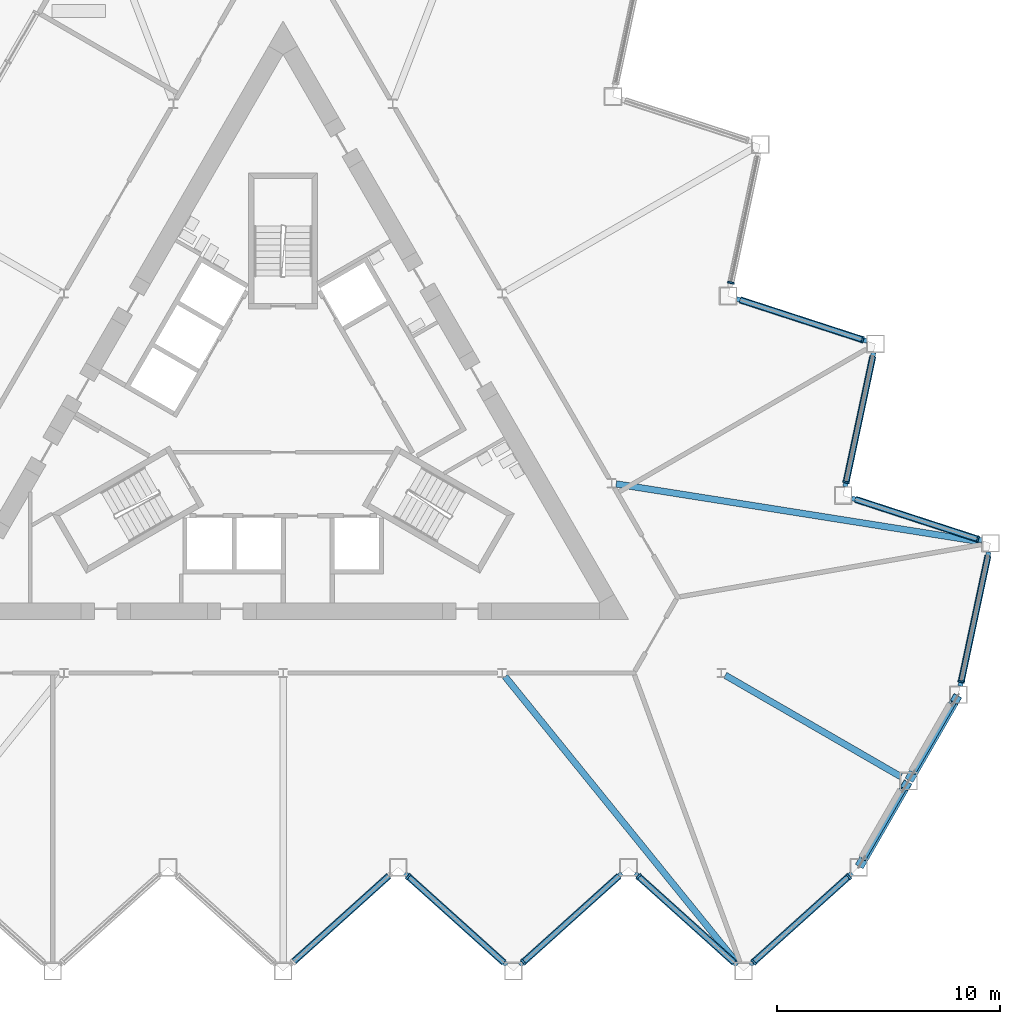
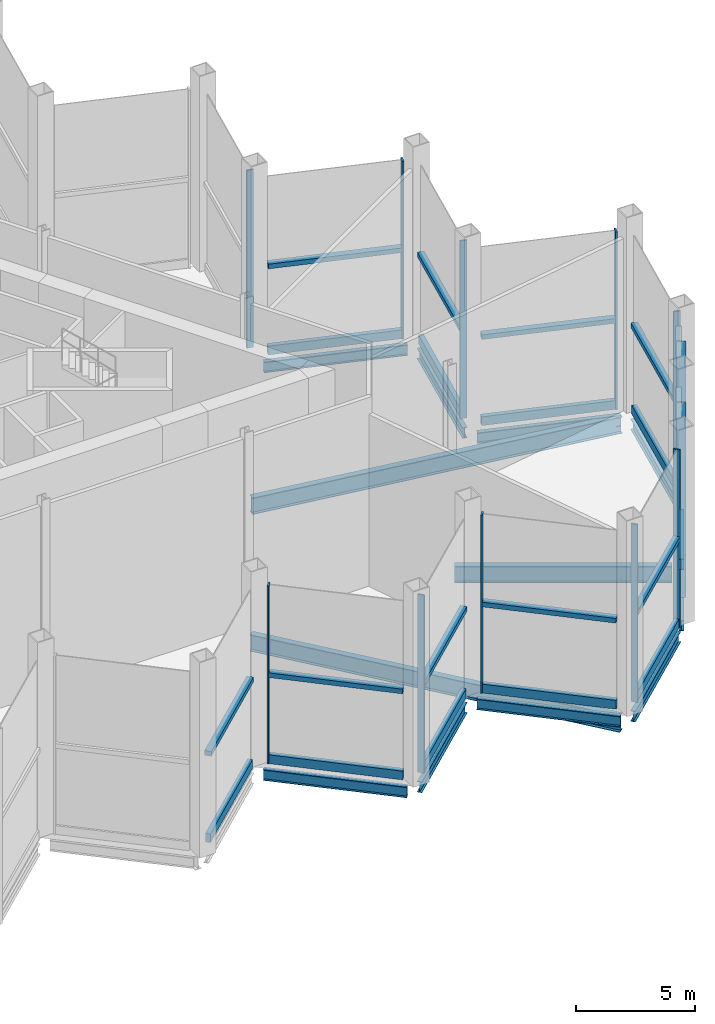
# One storey, part 4 of 18: 30 members, 13 beams, 2 elements without a shape of their own.
"""IFC4 building model written with IfcOpenShell, lengths in metres."""

from ifc_helpers import new_model, si_unit, direction, frame, origin, origin_2d, place, context, subcontext, project, spatial, rectangle, hollow_rectangle, i_section, extrude, material, layer, layer_set, material_profile, profile_set, type_object, element, aggregate, save


model = new_model("IFC4")

# Units and contexts
model_context = context("Model", 3, precision=1e-05, world=origin(), true_north=direction((0.0, 1.0)))
body_context = subcontext(model_context, "Body", "Model", "MODEL_VIEW")
ifc_project = project(units=[si_unit("LENGTHUNIT", "METRE"), si_unit("AREAUNIT", "SQUARE_METRE"), si_unit("VOLUMEUNIT", "CUBIC_METRE"), si_unit("PLANEANGLEUNIT", "RADIAN"), si_unit("MASSUNIT", "GRAM", prefix="KILO")], contexts=[model_context])

# Site, building, storey
site_placement = place(None, origin())
site = spatial("IfcSite", under=ifc_project, at=site_placement, CompositionType="ELEMENT")
building_placement = place(site_placement, origin())
building = spatial("IfcBuilding", under=site, at=building_placement, Name="Cormorant Prow Tower", CompositionType="ELEMENT")
storey_placement = place(building_placement, frame((0.0, 0.0, 216.0)))
storey = spatial("IfcBuildingStorey", under=building, at=storey_placement, Name="L48", CompositionType="ELEMENT", Elevation=216.0)

# Members
ifc_material_1 = material(Name="Structural steel ASTM A500 Gr C", Category="steel")
ifc_material_profile_1 = material_profile(ifc_material_1, hollow_rectangle(XDim=0.406494140625, YDim=0.406494140625, WallThickness=0.01171875, at=origin_2d()), Name="HSS16x16x1/2")
ifc_profile_set_1 = profile_set([ifc_material_profile_1], Name="Structural steel ASTM A500 Gr C")
member_type_1 = type_object("IfcMemberType", Name="Chamfer brace HSS16x16x1/2", PredefinedType="BRACE", material=ifc_profile_set_1)
for number, where, z_axis, x_axis, name in (
    (1, (25.931884765625, -19.883544921875, 0.98291015625), (0.246228201085, 0.426462002847, 0.870345812375), (-0.866016391555, 0.500015609314, 0.0), "Chamfer brace BR2 at ESE00 L48"),
    (2, (28.167236328125, -16.01220703125, 0.98291015625), (0.246225073837, 0.426486367008, 0.870334758453), (-0.866031510313, 0.499989423034, 0.0), "Chamfer brace BR2 at ESE01 L48"),
):
    element("IfcMember", number, at=place(storey_placement, frame(where, z_axis=z_axis, x_axis=x_axis)), inside=storey, type_object=member_type_1, Name=name, PredefinedType="BRACE", context=body_context, shape_type="SweptSolid", body=[
        extrude(hollow_rectangle(XDim=0.406494140625, YDim=0.406494140625, WallThickness=0.01171875, at=origin_2d()), origin(), (0.0, 0.0, 1.0), 8.197998046875),
    ])

# Beams
ifc_material_2 = material(Name="Structural steel ASTM A992 Gr 50", Category="steel")
ifc_material_profile_2 = material_profile(ifc_material_2, i_section(OverallWidth=0.29296875, OverallDepth=0.845703125, WebThickness=0.015380859375, FlangeThickness=0.0244140625, at=origin_2d()), Name="W33x141")
ifc_profile_set_2 = profile_set([ifc_material_profile_2], Name="Structural steel ASTM A992 Gr 50")
beam_type_1 = type_object("IfcBeamType", Name="Radial floor beam W33x141", PredefinedType="BEAM", material=ifc_profile_set_2)
beam_1_placement = place(storey_placement, frame((9.95654296875, -11.50732421875, -0.77294921875), z_axis=(0.629385162657, -0.777093505974, 0.0), x_axis=(0.777093505974, 0.629385162657, 0.0)))
element("IfcBeam", 3, at=beam_1_placement, inside=storey, type_object=beam_type_1, Name="Radial floor beam FB2 8 L48", PredefinedType="BEAM", context=body_context, shape_type="SweptSolid", body=[
    extrude(i_section(OverallWidth=0.29296875, OverallDepth=0.845703125, WebThickness=0.015380859375, FlangeThickness=0.0244140625, at=origin_2d()), origin(), (0.0, 0.0, 1.0), 16.6044921875),
])
beam_2_placement = place(storey_placement, frame((19.833251953125, -11.45068359375, -0.77294921875), z_axis=(0.866023373109, -0.500003517217, 0.0), x_axis=(0.500003517217, 0.866023373109, 0.0)))
element("IfcBeam", 4, at=beam_2_placement, inside=storey, type_object=beam_type_1, Name="Radial floor beam FB2 9 L48", PredefinedType="BEAM", context=body_context, shape_type="SweptSolid", body=[
    extrude(i_section(OverallWidth=0.29296875, OverallDepth=0.845703125, WebThickness=0.015380859375, FlangeThickness=0.0244140625, at=origin_2d()), origin(), (0.0, 0.0, 1.0), 9.09814453125),
])
beam_3_placement = place(storey_placement, frame((14.94384765625, -2.869140625, -0.77294921875), z_axis=(0.987678058302, -0.156499371084, 0.0), x_axis=(0.156499371084, 0.987678058302, 0.0)))
element("IfcBeam", 5, at=beam_3_placement, inside=storey, type_object=beam_type_1, Name="Radial floor beam FB2 10 L48", PredefinedType="BEAM", context=body_context, shape_type="SweptSolid", body=[
    extrude(i_section(OverallWidth=0.29296875, OverallDepth=0.845703125, WebThickness=0.015380859375, FlangeThickness=0.0244140625, at=origin_2d()), origin(), (0.0, 0.0, 1.0), 16.604736328125),
])

# Curtain wall, members
ifc_material_3 = material(Name="Aluminium 6063-T6", Category="aluminium")
ifc_layer = layer(ifc_material_3, 0.300048828125)
ifc_layer_set = layer_set([ifc_layer], Name="Aluminium 6063-T6")
curtain_wall_type = type_object("IfcCurtainWallType", Name="Sky lobby unitised curtain wall 300", PredefinedType="NOTDEFINED", material=ifc_layer_set)
curtain_wall_1_placement = place(storey_placement, origin())
curtain_wall_1 = element("IfcCurtainWall", 6, at=curtain_wall_1_placement, inside=storey, type_object=curtain_wall_type, Name="Sky lobby curtain wall S00-S09", PredefinedType="NOTDEFINED")
ifc_material_4 = material(Name="Aluminium 6063-T6", Category="aluminium")
ifc_material_profile_3 = material_profile(ifc_material_4, rectangle(XDim=0.300048828125, YDim=0.239990234375, at=origin_2d()), Name="Sky lobby intermediate transom 300x240")
ifc_profile_set_3 = profile_set([ifc_material_profile_3], Name="Aluminium 6063-T6")
member_type_2 = type_object("IfcMemberType", Name="Sky lobby intermediate transom 300x240", PredefinedType="USERDEFINED", material=ifc_profile_set_3)
member_1_placement = place(storey_placement, frame((0.4814453125, -24.2880859375, 4.550537109375), z_axis=(0.743158633755, 0.669115270394, 0.0), x_axis=(-0.669115270394, 0.743158633755, 0.0)))
member_1 = element("IfcMember", 7, at=member_1_placement, type_object=member_type_2, Name="Sky lobby intermediate transom S00-S09", ObjectType="TRANSOM", PredefinedType="USERDEFINED", context=body_context, shape_type="SweptSolid", body=[
    extrude(rectangle(XDim=0.300048828125, YDim=0.239990234375, at=origin_2d()), origin(), (0.0, 0.0, 1.0), 5.73388671875),
])
member_2_placement = place(storey_placement, frame((5.646240234375, -20.5048828125, 4.550537109375), z_axis=(0.743139569974, -0.669136443141, 0.0), x_axis=(0.669136443141, 0.743139569974, 0.0)))
member_2 = element("IfcMember", 8, at=member_2_placement, type_object=member_type_2, Name="Sky lobby intermediate transom S00-S09", ObjectType="TRANSOM", PredefinedType="USERDEFINED", context=body_context, shape_type="SweptSolid", body=[
    extrude(rectangle(XDim=0.300048828125, YDim=0.239990234375, at=origin_2d()), origin(), (0.0, 0.0, 1.0), 5.733642578125),
])
member_3_placement = place(storey_placement, frame((10.81103515625, -24.2880859375, 4.550537109375), z_axis=(0.743139569974, 0.669136443141, 0.0), x_axis=(-0.669136443141, 0.743139569974, 0.0)))
member_3 = element("IfcMember", 9, at=member_3_placement, type_object=member_type_2, Name="Sky lobby intermediate transom S00-S09", ObjectType="TRANSOM", PredefinedType="USERDEFINED", context=body_context, shape_type="SweptSolid", body=[
    extrude(rectangle(XDim=0.300048828125, YDim=0.239990234375, at=origin_2d()), origin(), (0.0, 0.0, 1.0), 5.733642578125),
])
member_4_placement = place(storey_placement, frame((15.975830078125, -20.5048828125, 4.550537109375), z_axis=(0.743139569974, -0.669136443141, 0.0), x_axis=(0.669136443141, 0.743139569974, 0.0)))
member_4 = element("IfcMember", 10, at=member_4_placement, type_object=member_type_2, Name="Sky lobby intermediate transom S00-S09", ObjectType="TRANSOM", PredefinedType="USERDEFINED", context=body_context, shape_type="SweptSolid", body=[
    extrude(rectangle(XDim=0.300048828125, YDim=0.239990234375, at=origin_2d()), origin(), (0.0, 0.0, 1.0), 5.733642578125),
])
member_5_placement = place(storey_placement, frame((21.140380859375, -24.2880859375, 4.550537109375), z_axis=(0.743143829218, 0.669131712816, 0.0), x_axis=(-0.669131712816, 0.743143829218, 0.0)))
member_5 = element("IfcMember", 11, at=member_5_placement, type_object=member_type_2, Name="Sky lobby intermediate transom S00-S09", ObjectType="TRANSOM", PredefinedType="USERDEFINED", context=body_context, shape_type="SweptSolid", body=[
    extrude(rectangle(XDim=0.300048828125, YDim=0.239990234375, at=origin_2d()), origin(), (0.0, 0.0, 1.0), 5.65380859375),
])

curtain_wall_2_placement = place(storey_placement, origin())
curtain_wall_2 = element("IfcCurtainWall", 12, at=curtain_wall_2_placement, inside=storey, type_object=curtain_wall_type, Name="Sky lobby curtain wall ENE00-ENE09", PredefinedType="NOTDEFINED")
member_6_placement = place(storey_placement, frame((30.4287109375, -11.6943359375, 4.550537109375), z_axis=(0.207917828816, 0.978146296042, 0.0), x_axis=(-0.978146296042, 0.207917828816, 0.0)))
member_6 = element("IfcMember", 13, at=member_6_placement, type_object=member_type_2, Name="Sky lobby intermediate transom ENE00-ENE09", ObjectType="TRANSOM", PredefinedType="USERDEFINED", context=body_context, shape_type="SweptSolid", body=[
    extrude(rectangle(XDim=0.300048828125, YDim=0.239990234375, at=origin_2d()), origin(), (0.0, 0.0, 1.0), 5.733642578125),
])
member_7_placement = place(storey_placement, frame((31.12255859375, -5.330078125, 4.550537109375), z_axis=(-0.951049087067, 0.309039858253, 0.0), x_axis=(-0.309039858253, -0.951049087067, 0.0)))
member_7 = element("IfcMember", 14, at=member_7_placement, type_object=member_type_2, Name="Sky lobby intermediate transom ENE00-ENE09", ObjectType="TRANSOM", PredefinedType="USERDEFINED", context=body_context, shape_type="SweptSolid", body=[
    extrude(rectangle(XDim=0.300048828125, YDim=0.239990234375, at=origin_2d()), origin(), (0.0, 0.0, 1.0), 5.73388671875),
])
member_8_placement = place(storey_placement, frame((25.263916015625, -2.748779296875, 4.550537109375), z_axis=(0.207917828816, 0.978146296042, 0.0), x_axis=(-0.978146296042, 0.207917828816, 0.0)))
member_8 = element("IfcMember", 15, at=member_8_placement, type_object=member_type_2, Name="Sky lobby intermediate transom ENE00-ENE09", ObjectType="TRANSOM", PredefinedType="USERDEFINED", context=body_context, shape_type="SweptSolid", body=[
    extrude(rectangle(XDim=0.300048828125, YDim=0.239990234375, at=origin_2d()), origin(), (0.0, 0.0, 1.0), 5.733642578125),
])
member_9_placement = place(storey_placement, frame((25.9580078125, 3.615478515625, 4.550537109375), z_axis=(-0.951049087067, 0.309039858253, 0.0), x_axis=(-0.309039858253, -0.951049087067, 0.0)))
member_9 = element("IfcMember", 16, at=member_9_placement, type_object=member_type_2, Name="Sky lobby intermediate transom ENE00-ENE09", ObjectType="TRANSOM", PredefinedType="USERDEFINED", context=body_context, shape_type="SweptSolid", body=[
    extrude(rectangle(XDim=0.300048828125, YDim=0.239990234375, at=origin_2d()), origin(), (0.0, 0.0, 1.0), 5.73388671875),
])

# Member
ifc_material_5 = material(Name="Aluminium 6063-T6", Category="aluminium")
ifc_material_profile_4 = material_profile(ifc_material_5, rectangle(XDim=0.300048828125, YDim=0.080078125, at=origin_2d()), Name="Sky lobby mullion 80x300")
ifc_profile_set_4 = profile_set([ifc_material_profile_4], Name="Aluminium 6063-T6")
member_type_3 = type_object("IfcMemberType", Name="Sky lobby mullion 80x300", PredefinedType="MULLION", material=ifc_profile_set_4)
member_10_placement = place(storey_placement, frame((5.616455078125, -20.47802734375, 0.0), z_axis=(0.0, 0.0, 1.0), x_axis=(0.669130536812, 0.743144888098, 0.0)))
member_10 = element("IfcMember", 17, at=member_10_placement, type_object=member_type_3, Name="Sky lobby mullion S00-S09", PredefinedType="MULLION", context=body_context, shape_type="SweptSolid", body=[
    extrude(rectangle(XDim=0.300048828125, YDim=0.080078125, at=origin_2d()), origin(), (0.0, 0.0, 1.0), 9.100830078125),
])

member_11_placement = place(storey_placement, frame((10.78125, -24.314697265625, 0.0), z_axis=(0.0, 0.0, 1.0), x_axis=(-0.669130608356, 0.743144823679, 0.0)))
member_11 = element("IfcMember", 18, at=member_11_placement, type_object=member_type_3, Name="Sky lobby mullion S00-S09", PredefinedType="MULLION", context=body_context, shape_type="SweptSolid", body=[
    extrude(rectangle(XDim=0.300048828125, YDim=0.080078125, at=origin_2d()), origin(), (0.0, 0.0, 1.0), 9.100830078125),
])

member_12_placement = place(storey_placement, frame((15.946044921875, -20.47802734375, 0.0), z_axis=(0.0, 0.0, 1.0), x_axis=(0.669130608356, 0.743144823679, 0.0)))
member_12 = element("IfcMember", 19, at=member_12_placement, type_object=member_type_3, Name="Sky lobby mullion S00-S09", PredefinedType="MULLION", context=body_context, shape_type="SweptSolid", body=[
    extrude(rectangle(XDim=0.300048828125, YDim=0.080078125, at=origin_2d()), origin(), (0.0, 0.0, 1.0), 9.100830078125),
])

member_13_placement = place(storey_placement, frame((21.110595703125, -24.314697265625, 0.0), z_axis=(0.0, 0.0, 1.0), x_axis=(-0.669130536812, 0.743144888098, 0.0)))
member_13 = element("IfcMember", 20, at=member_13_placement, type_object=member_type_3, Name="Sky lobby mullion S00-S09", PredefinedType="MULLION", context=body_context, shape_type="SweptSolid", body=[
    extrude(rectangle(XDim=0.300048828125, YDim=0.080078125, at=origin_2d()), origin(), (0.0, 0.0, 1.0), 9.100830078125),
])

member_14_placement = place(storey_placement, frame((25.371826171875, -20.47802734375, 0.0), z_axis=(0.0, 0.0, 1.0), x_axis=(-0.669130536812, 0.743144888098, 0.0)))
member_14 = element("IfcMember", 21, at=member_14_placement, type_object=member_type_3, Name="Sky lobby mullion S00-S09", PredefinedType="MULLION", context=body_context, shape_type="SweptSolid", body=[
    extrude(rectangle(XDim=0.300048828125, YDim=0.080078125, at=origin_2d()), origin(), (0.0, 0.0, 1.0), 9.100830078125),
])

member_15_placement = place(storey_placement, frame((30.42041015625, -11.733642578125, 0.0), z_axis=(0.0, 0.0, 1.0), x_axis=(-0.978147589118, 0.207911745465, 0.0)))
member_15 = element("IfcMember", 22, at=member_15_placement, type_object=member_type_3, Name="Sky lobby mullion ENE00-ENE09", PredefinedType="MULLION", context=body_context, shape_type="SweptSolid", body=[
    extrude(rectangle(XDim=0.300048828125, YDim=0.080078125, at=origin_2d()), origin(), (0.0, 0.0, 1.0), 9.100830078125),
])

member_16_placement = place(storey_placement, frame((31.16064453125, -5.342529296875, 0.0), z_axis=(0.0, 0.0, 1.0), x_axis=(-0.309017037466, -0.951056502294, 0.0)))
member_16 = element("IfcMember", 23, at=member_16_placement, type_object=member_type_3, Name="Sky lobby mullion ENE00-ENE09", PredefinedType="MULLION", context=body_context, shape_type="SweptSolid", body=[
    extrude(rectangle(XDim=0.300048828125, YDim=0.080078125, at=origin_2d()), origin(), (0.0, 0.0, 1.0), 9.100830078125),
])

member_17_placement = place(storey_placement, frame((25.255615234375, -2.7880859375, 0.0), z_axis=(0.0, 0.0, 1.0), x_axis=(-0.97814761838, 0.207911607797, 0.0)))
member_17 = element("IfcMember", 24, at=member_17_placement, type_object=member_type_3, Name="Sky lobby mullion ENE00-ENE09", PredefinedType="MULLION", context=body_context, shape_type="SweptSolid", body=[
    extrude(rectangle(XDim=0.300048828125, YDim=0.080078125, at=origin_2d()), origin(), (0.0, 0.0, 1.0), 9.100830078125),
])

member_18_placement = place(storey_placement, frame((25.99609375, 3.60302734375, 0.0), z_axis=(0.0, 0.0, 1.0), x_axis=(-0.309016907313, -0.951056544583, 0.0)))
member_18 = element("IfcMember", 25, at=member_18_placement, type_object=member_type_3, Name="Sky lobby mullion ENE00-ENE09", PredefinedType="MULLION", context=body_context, shape_type="SweptSolid", body=[
    extrude(rectangle(XDim=0.300048828125, YDim=0.080078125, at=origin_2d()), origin(), (0.0, 0.0, 1.0), 9.100830078125),
])

member_19_placement = place(storey_placement, frame((20.091064453125, 6.157470703125, 0.0), z_axis=(0.0, 0.0, 1.0), x_axis=(-0.978147589118, 0.207911745465, 0.0)))
member_19 = element("IfcMember", 26, at=member_19_placement, type_object=member_type_3, Name="Sky lobby mullion ENE00-ENE09", PredefinedType="MULLION", context=body_context, shape_type="SweptSolid", body=[
    extrude(rectangle(XDim=0.300048828125, YDim=0.080078125, at=origin_2d()), origin(), (0.0, 0.0, 1.0), 9.100830078125),
])

ifc_material_6 = material(Name="Terracotta", Category="masonry")
ifc_material_profile_5 = material_profile(ifc_material_6, rectangle(XDim=0.219970703125, YDim=0.449951171875, at=origin_2d()), Name="Sky lobby terracotta spandrel rail 220x450")
ifc_profile_set_5 = profile_set([ifc_material_profile_5], Name="Terracotta")
member_type_4 = type_object("IfcMemberType", Name="Sky lobby terracotta spandrel rail 220x450", PredefinedType="USERDEFINED", material=ifc_profile_set_5)
member_20_placement = place(storey_placement, frame((0.4814453125, -24.2880859375, 0.22509765625), z_axis=(0.743158633755, 0.669115270394, 0.0), x_axis=(-0.669115270394, 0.743158633755, 0.0)))
member_20 = element("IfcMember", 27, at=member_20_placement, type_object=member_type_4, Name="Sky lobby spandrel rail S00-S09", ObjectType="TRANSOM", PredefinedType="USERDEFINED", context=body_context, shape_type="SweptSolid", body=[
    extrude(rectangle(XDim=0.219970703125, YDim=0.449951171875, at=origin_2d()), origin(), (0.0, 0.0, 1.0), 5.73388671875),
])

member_21_placement = place(storey_placement, frame((5.646240234375, -20.5048828125, 0.22509765625), z_axis=(0.743139569974, -0.669136443141, 0.0), x_axis=(0.669136443141, 0.743139569974, 0.0)))
member_21 = element("IfcMember", 28, at=member_21_placement, type_object=member_type_4, Name="Sky lobby spandrel rail S00-S09", ObjectType="TRANSOM", PredefinedType="USERDEFINED", context=body_context, shape_type="SweptSolid", body=[
    extrude(rectangle(XDim=0.219970703125, YDim=0.449951171875, at=origin_2d()), origin(), (0.0, 0.0, 1.0), 5.733642578125),
])

member_22_placement = place(storey_placement, frame((10.81103515625, -24.2880859375, 0.22509765625), z_axis=(0.743139569974, 0.669136443141, 0.0), x_axis=(-0.669136443141, 0.743139569974, 0.0)))
member_22 = element("IfcMember", 29, at=member_22_placement, type_object=member_type_4, Name="Sky lobby spandrel rail S00-S09", ObjectType="TRANSOM", PredefinedType="USERDEFINED", context=body_context, shape_type="SweptSolid", body=[
    extrude(rectangle(XDim=0.219970703125, YDim=0.449951171875, at=origin_2d()), origin(), (0.0, 0.0, 1.0), 5.733642578125),
])

member_23_placement = place(storey_placement, frame((15.975830078125, -20.5048828125, 0.22509765625), z_axis=(0.743139569974, -0.669136443141, 0.0), x_axis=(0.669136443141, 0.743139569974, 0.0)))
member_23 = element("IfcMember", 30, at=member_23_placement, type_object=member_type_4, Name="Sky lobby spandrel rail S00-S09", ObjectType="TRANSOM", PredefinedType="USERDEFINED", context=body_context, shape_type="SweptSolid", body=[
    extrude(rectangle(XDim=0.219970703125, YDim=0.449951171875, at=origin_2d()), origin(), (0.0, 0.0, 1.0), 5.733642578125),
])

member_24_placement = place(storey_placement, frame((21.140380859375, -24.2880859375, 0.22509765625), z_axis=(0.743143829218, 0.669131712816, 0.0), x_axis=(-0.669131712816, 0.743143829218, 0.0)))
member_24 = element("IfcMember", 31, at=member_24_placement, type_object=member_type_4, Name="Sky lobby spandrel rail S00-S09", ObjectType="TRANSOM", PredefinedType="USERDEFINED", context=body_context, shape_type="SweptSolid", body=[
    extrude(rectangle(XDim=0.219970703125, YDim=0.449951171875, at=origin_2d()), origin(), (0.0, 0.0, 1.0), 5.65380859375),
])

aggregate(curtain_wall_1, [member_20, member_1, member_10, member_21, member_2, member_11, member_22, member_3, member_12, member_23, member_4, member_13, member_14, member_24, member_5])

member_25_placement = place(storey_placement, frame((30.4287109375, -11.6943359375, 0.22509765625), z_axis=(0.207917828816, 0.978146296042, 0.0), x_axis=(-0.978146296042, 0.207917828816, 0.0)))
member_25 = element("IfcMember", 32, at=member_25_placement, type_object=member_type_4, Name="Sky lobby spandrel rail ENE00-ENE09", ObjectType="TRANSOM", PredefinedType="USERDEFINED", context=body_context, shape_type="SweptSolid", body=[
    extrude(rectangle(XDim=0.219970703125, YDim=0.449951171875, at=origin_2d()), origin(), (0.0, 0.0, 1.0), 5.733642578125),
])

member_26_placement = place(storey_placement, frame((31.12255859375, -5.330078125, 0.22509765625), z_axis=(-0.951049087067, 0.309039858253, 0.0), x_axis=(-0.309039858253, -0.951049087067, 0.0)))
member_26 = element("IfcMember", 33, at=member_26_placement, type_object=member_type_4, Name="Sky lobby spandrel rail ENE00-ENE09", ObjectType="TRANSOM", PredefinedType="USERDEFINED", context=body_context, shape_type="SweptSolid", body=[
    extrude(rectangle(XDim=0.219970703125, YDim=0.449951171875, at=origin_2d()), origin(), (0.0, 0.0, 1.0), 5.73388671875),
])

member_27_placement = place(storey_placement, frame((25.263916015625, -2.748779296875, 0.22509765625), z_axis=(0.207917828816, 0.978146296042, 0.0), x_axis=(-0.978146296042, 0.207917828816, 0.0)))
member_27 = element("IfcMember", 34, at=member_27_placement, type_object=member_type_4, Name="Sky lobby spandrel rail ENE00-ENE09", ObjectType="TRANSOM", PredefinedType="USERDEFINED", context=body_context, shape_type="SweptSolid", body=[
    extrude(rectangle(XDim=0.219970703125, YDim=0.449951171875, at=origin_2d()), origin(), (0.0, 0.0, 1.0), 5.733642578125),
])

member_28_placement = place(storey_placement, frame((25.9580078125, 3.615478515625, 0.22509765625), z_axis=(-0.951049087067, 0.309039858253, 0.0), x_axis=(-0.309039858253, -0.951049087067, 0.0)))
member_28 = element("IfcMember", 35, at=member_28_placement, type_object=member_type_4, Name="Sky lobby spandrel rail ENE00-ENE09", ObjectType="TRANSOM", PredefinedType="USERDEFINED", context=body_context, shape_type="SweptSolid", body=[
    extrude(rectangle(XDim=0.219970703125, YDim=0.449951171875, at=origin_2d()), origin(), (0.0, 0.0, 1.0), 5.73388671875),
])

aggregate(curtain_wall_2, [member_15, member_25, member_6, member_16, member_26, member_7, member_17, member_27, member_8, member_18, member_28, member_9, member_19])

# Beams
ifc_material_7 = material(Name="Structural steel ASTM A992 Gr 50", Category="steel")
ifc_material_profile_6 = material_profile(ifc_material_7, i_section(OverallWidth=0.2138671875, OverallDepth=0.549072265625, WebThickness=0.0146484375, FlangeThickness=0.023681640625, at=origin_2d()), Name="W21x93")
ifc_profile_set_6 = profile_set([ifc_material_profile_6], Name="Structural steel ASTM A992 Gr 50")
beam_type_2 = type_object("IfcBeamType", Name="Spandrel beam W21x93", PredefinedType="SPANDREL", material=ifc_profile_set_6)
beam_4_placement = place(storey_placement, frame((5.4619140625, -20.3388671875, -0.62451171875), z_axis=(0.743155953285, -0.669118247469, 0.0), x_axis=(0.669118247469, 0.743155953285, 0.0)))
element("IfcBeam", 36, at=beam_4_placement, inside=storey, type_object=beam_type_2, Name="Spandrel beam SB2 S06-S07 L48", PredefinedType="SPANDREL", context=body_context, shape_type="SweptSolid", body=[
    extrude(i_section(OverallWidth=0.2138671875, OverallDepth=0.549072265625, WebThickness=0.0146484375, FlangeThickness=0.023681640625, at=origin_2d()), origin(), (0.0, 0.0, 1.0), 6.14990234375),
])
for number, where, z_axis, x_axis, name in (
    (37, (10.626708984375, -24.453857421875, -0.62451171875), (0.743138178716, 0.669137988261, 0.0), (-0.669137988261, 0.743138178716, 0.0), "Spandrel beam SB2 S07-S08 L48"),
    (38, (15.79150390625, -20.3388671875, -0.62451171875), (0.743138178716, -0.669137988261, 0.0), (0.669137988261, 0.743138178716, 0.0), "Spandrel beam SB2 S08-S09 L48"),
):
    element("IfcBeam", number, at=place(storey_placement, frame(where, z_axis=z_axis, x_axis=x_axis)), inside=storey, type_object=beam_type_2, Name=name, PredefinedType="SPANDREL", context=body_context, shape_type="SweptSolid", body=[
        extrude(i_section(OverallWidth=0.2138671875, OverallDepth=0.549072265625, WebThickness=0.0146484375, FlangeThickness=0.023681640625, at=origin_2d()), origin(), (0.0, 0.0, 1.0), 6.149658203125),
    ])
beam_5_placement = place(storey_placement, frame((20.9560546875, -24.453857421875, -0.62451171875), z_axis=(0.743155953285, 0.669118247469, 0.0), x_axis=(-0.669118247469, 0.743155953285, 0.0)))
element("IfcBeam", 39, at=beam_5_placement, inside=storey, type_object=beam_type_2, Name="Spandrel beam SB2 S09-ESE00 L48", PredefinedType="SPANDREL", context=body_context, shape_type="SweptSolid", body=[
    extrude(i_section(OverallWidth=0.2138671875, OverallDepth=0.549072265625, WebThickness=0.0146484375, FlangeThickness=0.023681640625, at=origin_2d()), origin(), (0.0, 0.0, 1.0), 6.14990234375),
])
for number, where, z_axis, x_axis, name in (
    (40, (26.023681640625, -19.724853515625, -0.62451171875), (0.499994986164, 0.866028298505, 0.0), (-0.866028298505, 0.499994986164, 0.0), "Spandrel beam SB2 ESE00-ESE01 L48"),
    (41, (28.2587890625, -15.853271484375, -0.62451171875), (0.499994986164, 0.866028298505, 0.0), (-0.866028298505, 0.499994986164, 0.0), "Spandrel beam SB2 ESE01-ENE00 L48"),
):
    element("IfcBeam", number, at=place(storey_placement, frame(where, z_axis=z_axis, x_axis=x_axis)), inside=storey, type_object=beam_type_2, Name=name, PredefinedType="SPANDREL", context=body_context, shape_type="SweptSolid", body=[
        extrude(i_section(OverallWidth=0.2138671875, OverallDepth=0.549072265625, WebThickness=0.0146484375, FlangeThickness=0.023681640625, at=origin_2d()), origin(), (0.0, 0.0, 1.0), 3.67041015625),
    ])
beam_6_placement = place(storey_placement, frame((30.377197265625, -11.93701171875, -0.62451171875), z_axis=(0.207904811195, 0.978149063018, 0.0), x_axis=(-0.978149063018, 0.207904811195, 0.0)))
element("IfcBeam", 42, at=beam_6_placement, inside=storey, type_object=beam_type_2, Name="Spandrel beam SB2 ENE00-ENE01 L48", PredefinedType="SPANDREL", context=body_context, shape_type="SweptSolid", body=[
    extrude(i_section(OverallWidth=0.2138671875, OverallDepth=0.549072265625, WebThickness=0.0146484375, FlangeThickness=0.023681640625, at=origin_2d()), origin(), (0.0, 0.0, 1.0), 6.149658203125),
])
beam_7_placement = place(storey_placement, frame((31.358642578125, -5.40673828125, -0.62451171875), z_axis=(-0.951057696564, 0.309013361859, 0.0), x_axis=(-0.309013361859, -0.951057696564, 0.0)))
element("IfcBeam", 43, at=beam_7_placement, inside=storey, type_object=beam_type_2, Name="Spandrel beam SB2 ENE01-ENE02 L48", PredefinedType="SPANDREL", context=body_context, shape_type="SweptSolid", body=[
    extrude(i_section(OverallWidth=0.2138671875, OverallDepth=0.549072265625, WebThickness=0.0146484375, FlangeThickness=0.023681640625, at=origin_2d()), origin(), (0.0, 0.0, 1.0), 6.14990234375),
])
beam_8_placement = place(storey_placement, frame((25.21240234375, -2.991455078125, -0.62451171875), z_axis=(0.207904811195, 0.978149063018, 0.0), x_axis=(-0.978149063018, 0.207904811195, 0.0)))
element("IfcBeam", 44, at=beam_8_placement, inside=storey, type_object=beam_type_2, Name="Spandrel beam SB2 ENE02-ENE03 L48", PredefinedType="SPANDREL", context=body_context, shape_type="SweptSolid", body=[
    extrude(i_section(OverallWidth=0.2138671875, OverallDepth=0.549072265625, WebThickness=0.0146484375, FlangeThickness=0.023681640625, at=origin_2d()), origin(), (0.0, 0.0, 1.0), 6.149658203125),
])
beam_9_placement = place(storey_placement, frame((26.19384765625, 3.538818359375, -0.62451171875), z_axis=(-0.951057696564, 0.309013361859, 0.0), x_axis=(-0.309013361859, -0.951057696564, 0.0)))
element("IfcBeam", 45, at=beam_9_placement, inside=storey, type_object=beam_type_2, Name="Spandrel beam SB2 ENE03-ENE04 L48", PredefinedType="SPANDREL", context=body_context, shape_type="SweptSolid", body=[
    extrude(i_section(OverallWidth=0.2138671875, OverallDepth=0.549072265625, WebThickness=0.0146484375, FlangeThickness=0.023681640625, at=origin_2d()), origin(), (0.0, 0.0, 1.0), 6.14990234375),
])

save(model, "model.ifc")
